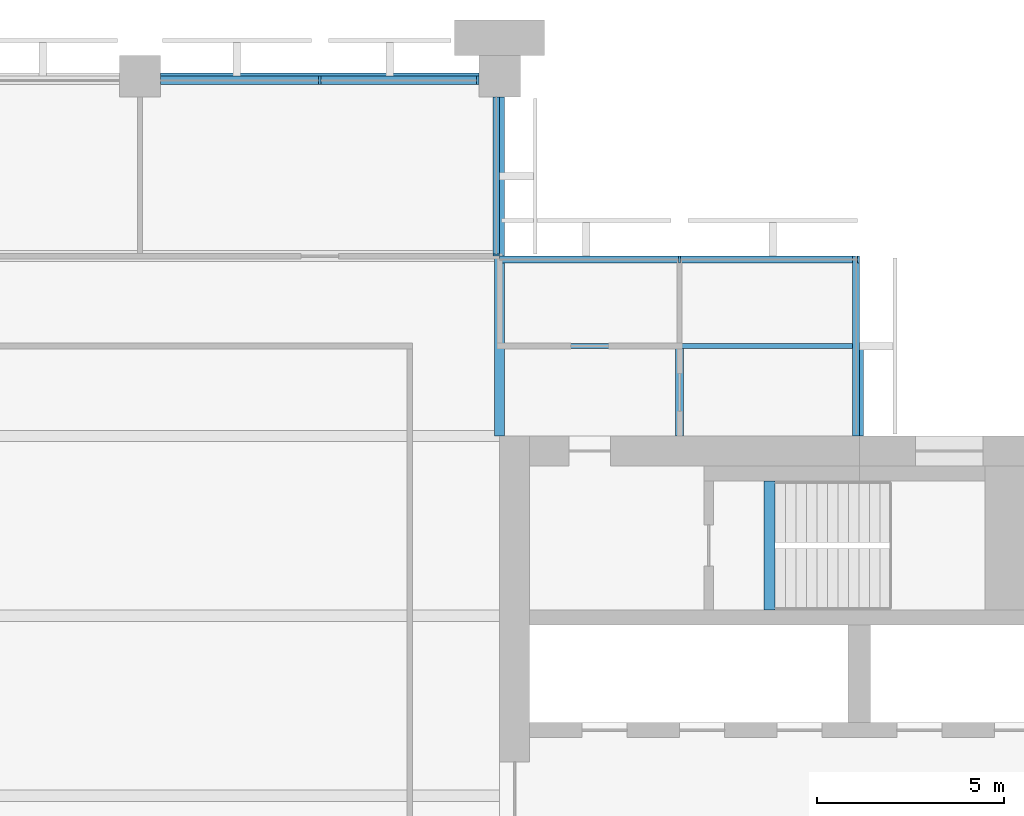
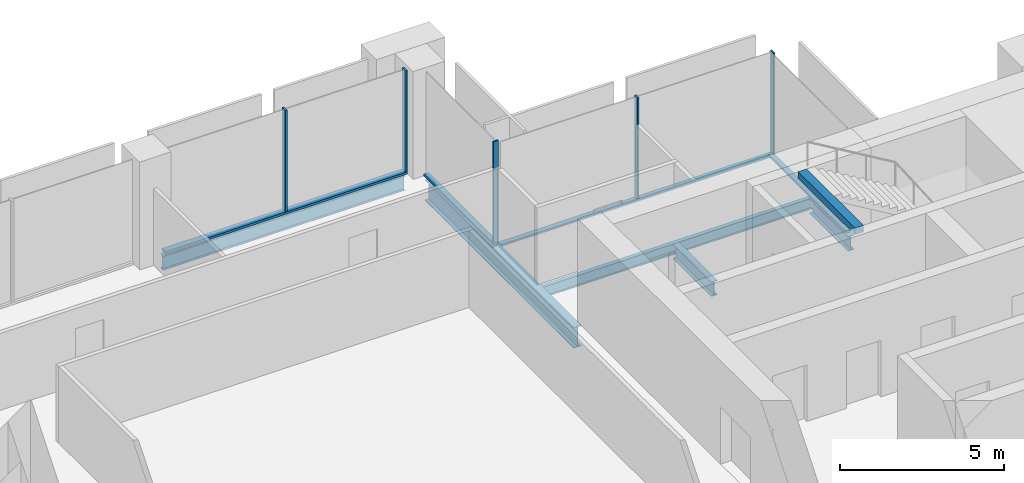
# One storey, part 6 of 13: 9 members, 6 beams, 4 elements without a shape of their own.
"""IFC4 building model written with IfcOpenShell, lengths in metres."""

from ifc_helpers import new_model, si_unit, direction, frame, origin, origin_2d, place, context, subcontext, project, spatial, rectangle, i_section, extrude, material, material_profile, profile_set, type_object, element, aggregate, save


model = new_model("IFC4")

# Units and contexts
model_context = context("Model", 3, precision=1e-05, world=origin(), true_north=direction((0.0, 1.0)))
body_context = subcontext(model_context, "Body", "Model", "MODEL_VIEW")
ifc_project = project(units=[si_unit("LENGTHUNIT", "METRE"), si_unit("AREAUNIT", "SQUARE_METRE"), si_unit("VOLUMEUNIT", "CUBIC_METRE"), si_unit("PLANEANGLEUNIT", "RADIAN"), si_unit("MASSUNIT", "GRAM", prefix="KILO")], contexts=[model_context])

# Site, building, storey
site_placement = place(None, origin())
site = spatial("IfcSite", under=ifc_project, at=site_placement, CompositionType="ELEMENT")
building_placement = place(site_placement, origin())
building = spatial("IfcBuilding", under=site, at=building_placement, Name="Baori Bourse Tower", CompositionType="ELEMENT")
storey_placement = place(building_placement, frame((0.0, 0.0, 253.199951171875)))
storey = spatial("IfcBuildingStorey", under=building, at=storey_placement, Name="L56", CompositionType="ELEMENT", Elevation=253.199951171875)

# Curtain wall, members
ifc_material_1 = material(Name="Pale anodised aluminium", Category="aluminium")
curtain_wall_type_1 = type_object("IfcCurtainWallType", Name="CW2 Curtain wall", PredefinedType="NOTDEFINED", material=ifc_material_1)
curtain_wall_1_placement = place(storey_placement, origin())
curtain_wall_1 = element("IfcCurtainWall", 1, at=curtain_wall_1_placement, inside=storey, type_object=curtain_wall_type_1, Name="Curtain wall CW2 L56 2", PredefinedType="NOTDEFINED")
ifc_material_2 = material(Name="Pale anodised aluminium", Category="aluminium")
ifc_material_profile_1 = material_profile(ifc_material_2, rectangle(XDim=0.179931640625, YDim=0.054931640625, at=origin_2d()), Name="Mullion 55x180")
ifc_profile_set_1 = profile_set([ifc_material_profile_1], Name="Pale anodised aluminium")
member_type_1 = type_object("IfcMemberType", Name="CW2 Curtain wall mullion", PredefinedType="MULLION", material=ifc_profile_set_1)
member_1_placement = place(storey_placement, frame((47.972412109375, 43.110107421875, 0.070068359375), z_axis=(0.0, 0.0, 1.0), x_axis=(0.0, -1.0, 0.0)))
member_1 = element("IfcMember", 2, at=member_1_placement, type_object=member_type_1, Name="Curtain wall CW2 mullion", PredefinedType="MULLION", context=body_context, shape_type="SweptSolid", body=[
    extrude(rectangle(XDim=0.179931640625, YDim=0.054931640625, at=origin_2d()), origin(), (0.0, 0.0, 1.0), 3.77001953125),
])
member_2_placement = place(storey_placement, frame((43.199951171875, 43.110107421875, 0.070068359375), z_axis=(0.0, 0.0, 1.0), x_axis=(0.0, -1.0, 0.0)))
member_2 = element("IfcMember", 3, at=member_2_placement, type_object=member_type_1, Name="Curtain wall CW2 mullion", PredefinedType="MULLION", context=body_context, shape_type="SweptSolid", body=[
    extrude(rectangle(XDim=0.179931640625, YDim=0.054931640625, at=origin_2d()), origin(), (0.0, 0.0, 1.0), 3.77001953125),
])

# Curtain wall, member
curtain_wall_2_placement = place(storey_placement, origin())
curtain_wall_2 = element("IfcCurtainWall", 4, at=curtain_wall_2_placement, inside=storey, type_object=curtain_wall_type_1, Name="Curtain wall CW2 L56 3", PredefinedType="NOTDEFINED")
member_3_placement = place(storey_placement, frame((38.31005859375, 43.2275390625, 0.070068359375), z_axis=(0.0, 0.0, 1.0), x_axis=(-1.0, 0.0, 0.0)))
member_3 = element("IfcMember", 5, at=member_3_placement, type_object=member_type_1, Name="Curtain wall CW2 mullion", PredefinedType="MULLION", context=body_context, shape_type="SweptSolid", body=[
    extrude(rectangle(XDim=0.179931640625, YDim=0.054931640625, at=origin_2d()), origin(), (0.0, 0.0, 1.0), 3.77001953125),
])

curtain_wall_3_placement = place(storey_placement, origin())
curtain_wall_3 = element("IfcCurtainWall", 6, at=curtain_wall_3_placement, inside=storey, type_object=curtain_wall_type_1, Name="Curtain wall CW2 L56 1", PredefinedType="NOTDEFINED")
ifc_material_3 = material(Name="Pale anodised aluminium", Category="aluminium")
ifc_material_profile_2 = material_profile(ifc_material_3, rectangle(XDim=0.179931640625, YDim=0.070068359375, at=origin_2d()), Name="Transom 70x180")
ifc_profile_set_2 = profile_set([ifc_material_profile_2], Name="Pale anodised aluminium")
member_type_2 = type_object("IfcMemberType", Name="CW2 Curtain wall transom", PredefinedType="USERDEFINED", material=ifc_profile_set_2)
member_4_placement = place(storey_placement, frame((47.909912109375, 38.39990234375, 0.03515625), z_axis=(0.0, 1.0, 0.0), x_axis=(-1.0, 0.0, 0.0)))
member_4 = element("IfcMember", 7, at=member_4_placement, type_object=member_type_2, Name="Curtain wall CW2 sill rail", ObjectType="TRANSOM", PredefinedType="USERDEFINED", context=body_context, shape_type="SweptSolid", body=[
    extrude(rectangle(XDim=0.179931640625, YDim=0.070068359375, at=origin_2d()), origin(), (0.0, 0.0, 1.0), 4.800048828125),
])
aggregate(curtain_wall_3, [member_4])

# Member
member_5_placement = place(storey_placement, frame((48.0, 43.110107421875, 0.03515625), z_axis=(-1.0, 0.0, 0.0), x_axis=(0.0, -1.0, 0.0)))
member_5 = element("IfcMember", 8, at=member_5_placement, type_object=member_type_2, Name="Curtain wall CW2 sill rail", ObjectType="TRANSOM", PredefinedType="USERDEFINED", context=body_context, shape_type="SweptSolid", body=[
    extrude(rectangle(XDim=0.179931640625, YDim=0.070068359375, at=origin_2d()), origin(), (0.0, 0.0, 1.0), 9.60009765625),
])

aggregate(curtain_wall_1, [member_5, member_1, member_2])

member_6_placement = place(storey_placement, frame((38.31005859375, 43.199951171875, 0.03515625), z_axis=(0.0, 1.0, 0.0), x_axis=(-1.0, 0.0, 0.0)))
member_6 = element("IfcMember", 9, at=member_6_placement, type_object=member_type_2, Name="Curtain wall CW2 sill rail", ObjectType="TRANSOM", PredefinedType="USERDEFINED", context=body_context, shape_type="SweptSolid", body=[
    extrude(rectangle(XDim=0.179931640625, YDim=0.070068359375, at=origin_2d()), origin(), (0.0, 0.0, 1.0), 4.25),
])

aggregate(curtain_wall_2, [member_6, member_3])

# Curtain wall, members
ifc_material_4 = material(Name="Pale anodised aluminium", Category="aluminium")
curtain_wall_type_2 = type_object("IfcCurtainWallType", Name="CW5 Curtain wall", PredefinedType="NOTDEFINED", material=ifc_material_4)
curtain_wall_4_placement = place(storey_placement, origin())
curtain_wall_4 = element("IfcCurtainWall", 10, at=curtain_wall_4_placement, inside=storey, type_object=curtain_wall_type_2, Name="Curtain wall CW5 L56 4", PredefinedType="NOTDEFINED")
ifc_material_5 = material(Name="Pale anodised aluminium", Category="aluminium")
ifc_material_profile_3 = material_profile(ifc_material_5, rectangle(XDim=0.219970703125, YDim=0.06494140625, at=origin_2d()), Name="Mullion 65x220")
ifc_profile_set_3 = profile_set([ifc_material_profile_3], Name="Pale anodised aluminium")
member_type_3 = type_object("IfcMemberType", Name="CW5 Curtain wall mullion", PredefinedType="MULLION", material=ifc_profile_set_3)
member_7_placement = place(storey_placement, frame((37.8173828125, 47.889892578125, 0.0849609375), z_axis=(0.0, 0.0, 1.0), x_axis=(0.0, -1.0, 0.0)))
member_7 = element("IfcMember", 11, at=member_7_placement, type_object=member_type_3, Name="Curtain wall CW5 mullion", PredefinedType="MULLION", context=body_context, shape_type="SweptSolid", body=[
    extrude(rectangle(XDim=0.219970703125, YDim=0.06494140625, at=origin_2d()), origin(), (0.0, 0.0, 1.0), 3.755126953125),
])
member_8_placement = place(storey_placement, frame((33.60009765625, 47.889892578125, 0.0849609375), z_axis=(0.0, 0.0, 1.0), x_axis=(0.0, -1.0, 0.0)))
member_8 = element("IfcMember", 12, at=member_8_placement, type_object=member_type_3, Name="Curtain wall CW5 mullion", PredefinedType="MULLION", context=body_context, shape_type="SweptSolid", body=[
    extrude(rectangle(XDim=0.219970703125, YDim=0.06494140625, at=origin_2d()), origin(), (0.0, 0.0, 1.0), 3.755126953125),
])
ifc_material_6 = material(Name="Pale anodised aluminium", Category="aluminium")
ifc_material_profile_4 = material_profile(ifc_material_6, rectangle(XDim=0.219970703125, YDim=0.0849609375, at=origin_2d()), Name="Transom 85x220")
ifc_profile_set_4 = profile_set([ifc_material_profile_4], Name="Pale anodised aluminium")
member_type_4 = type_object("IfcMemberType", Name="CW5 Curtain wall transom", PredefinedType="USERDEFINED", material=ifc_profile_set_4)
member_9_placement = place(storey_placement, frame((37.85009765625, 47.889892578125, 0.04248046875), z_axis=(-1.0, 0.0, 0.0), x_axis=(0.0, -1.0, 0.0)))
member_9 = element("IfcMember", 13, at=member_9_placement, type_object=member_type_4, Name="Curtain wall CW5 sill rail", ObjectType="TRANSOM", PredefinedType="USERDEFINED", context=body_context, shape_type="SweptSolid", body=[
    extrude(rectangle(XDim=0.219970703125, YDim=0.0849609375, at=origin_2d()), origin(), (0.0, 0.0, 1.0), 8.5),
])
aggregate(curtain_wall_4, [member_9, member_7, member_8])

# Beams
ifc_material_7 = material(Name="Steel A992 Gr 50", Category="steel")
ifc_material_profile_5 = material_profile(ifc_material_7, i_section(OverallWidth=0.21240234375, OverallDepth=0.54345703125, WebThickness=0.01318359375, FlangeThickness=0.021240234375, at=origin_2d()), Name="W21x83")
ifc_profile_set_5 = profile_set([ifc_material_profile_5], Name="Steel A992 Gr 50")
beam_type_1 = type_object("IfcBeamType", Name="Core bracket W21x83", PredefinedType="BEAM", material=ifc_profile_set_5)
for number, where, z_axis, x_axis, name in (
    (14, (43.199951171875, 38.39990234375, -0.431640625), (0.0, 1.0, 0.0), (-1.0, 0.0, 0.0), "Core bracket L56"),
    (15, (48.0, 38.39990234375, -0.431640625), (0.0, 1.0, 0.0), (-1.0, 0.0, 0.0), "Core bracket L56"),
):
    element("IfcBeam", number, at=place(storey_placement, frame(where, z_axis=z_axis, x_axis=x_axis)), inside=storey, type_object=beam_type_1, Name=name, PredefinedType="BEAM", context=body_context, shape_type="SweptSolid", body=[
        extrude(i_section(OverallWidth=0.21240234375, OverallDepth=0.54345703125, WebThickness=0.01318359375, FlangeThickness=0.021240234375, at=origin_2d()), origin(), (0.0, 0.0, 1.0), 2.329833984375),
    ])
ifc_material_8 = material(Name="Steel A992 Gr 50", Category="steel")
ifc_material_profile_6 = material_profile(ifc_material_8, i_section(OverallWidth=0.1650390625, OverallDepth=0.52587890625, WebThickness=0.0087890625, FlangeThickness=0.011474609375, at=origin_2d()), Name="W21x44")
ifc_profile_set_6 = profile_set([ifc_material_profile_6], Name="Steel A992 Gr 50")
beam_type_2 = type_object("IfcBeamType", Name="Edge beam W21x44", PredefinedType="BEAM", material=ifc_profile_set_6)
beam_1_placement = place(storey_placement, frame((29.35009765625, 48.0, -0.4228515625), z_axis=(1.0, 0.0, 0.0), x_axis=(0.0, 1.0, 0.0)))
element("IfcBeam", 16, at=beam_1_placement, inside=storey, type_object=beam_type_2, Name="Edge beam L56", PredefinedType="BEAM", context=body_context, shape_type="SweptSolid", body=[
    extrude(i_section(OverallWidth=0.1650390625, OverallDepth=0.52587890625, WebThickness=0.0087890625, FlangeThickness=0.011474609375, at=origin_2d()), origin(), (0.0, 0.0, 1.0), 8.5),
])
ifc_material_9 = material(Name="Steel A992 Gr 50", Category="steel")
ifc_material_profile_7 = material_profile(ifc_material_9, i_section(OverallWidth=0.2666015625, OverallDepth=0.76953125, WebThickness=0.015625, FlangeThickness=0.025390625, at=origin_2d()), Name="W30x132")
ifc_profile_set_7 = profile_set([ifc_material_profile_7], Name="Steel A992 Gr 50")
beam_type_3 = type_object("IfcBeamType", Name="Girder W30x132", PredefinedType="BEAM", material=ifc_profile_set_7)
beam_2_placement = place(storey_placement, frame((38.39990234375, 38.39990234375, -0.544677734375), z_axis=(0.0, 1.0, 0.0), x_axis=(-1.0, 0.0, 0.0)))
element("IfcBeam", 17, at=beam_2_placement, inside=storey, type_object=beam_type_3, Name="Girder L56", PredefinedType="BEAM", context=body_context, shape_type="SweptSolid", body=[
    extrude(i_section(OverallWidth=0.2666015625, OverallDepth=0.76953125, WebThickness=0.015625, FlangeThickness=0.025390625, at=origin_2d()), origin(), (0.0, 0.0, 1.0), 9.050048828125),
])
ifc_material_10 = material(Name="Concrete f'c 50 MPa", Category="concrete")
ifc_material_profile_8 = material_profile(ifc_material_10, rectangle(XDim=0.300048828125, YDim=0.25, at=origin_2d()), Name="RC 300x250")
ifc_profile_set_8 = profile_set([ifc_material_profile_8], Name="Concrete f'c 50 MPa")
beam_type_4 = type_object("IfcBeamType", Name="Stair nib beam RC 300x250", PredefinedType="BEAM", material=ifc_profile_set_8)
beam_3_placement = place(storey_placement, frame((45.60009765625, 33.75, 3.715087890625), z_axis=(0.0, 1.0, 0.0), x_axis=(-1.0, 0.0, 0.0)))
element("IfcBeam", 18, at=beam_3_placement, inside=storey, type_object=beam_type_4, Name="Stair EB nib beam L57", PredefinedType="BEAM", context=body_context, shape_type="SweptSolid", body=[
    extrude(rectangle(XDim=0.300048828125, YDim=0.25, at=origin_2d()), origin(), (0.0, 0.0, 1.0), 3.449951171875),
])
ifc_material_11 = material(Name="Steel A992 Gr 50", Category="steel")
ifc_material_profile_9 = material_profile(ifc_material_11, i_section(OverallWidth=0.140380859375, OverallDepth=0.40380859375, WebThickness=0.007080078125, FlangeThickness=0.01123046875, at=origin_2d()), Name="W16x31")
ifc_profile_set_9 = profile_set([ifc_material_profile_9], Name="Steel A992 Gr 50")
beam_type_5 = type_object("IfcBeamType", Name="Trimmer beam W16x31", PredefinedType="BEAM", material=ifc_profile_set_9)
beam_4_placement = place(storey_placement, frame((38.533447265625, 40.800048828125, -0.36181640625), z_axis=(1.0, 0.0, 0.0), x_axis=(0.0, 1.0, 0.0)))
element("IfcBeam", 19, at=beam_4_placement, inside=storey, type_object=beam_type_5, Name="Trimmer beam L56", PredefinedType="BEAM", context=body_context, shape_type="SweptSolid", body=[
    extrude(i_section(OverallWidth=0.140380859375, OverallDepth=0.40380859375, WebThickness=0.007080078125, FlangeThickness=0.01123046875, at=origin_2d()), origin(), (0.0, 0.0, 1.0), 9.466552734375),
])

save(model, "model.ifc")
